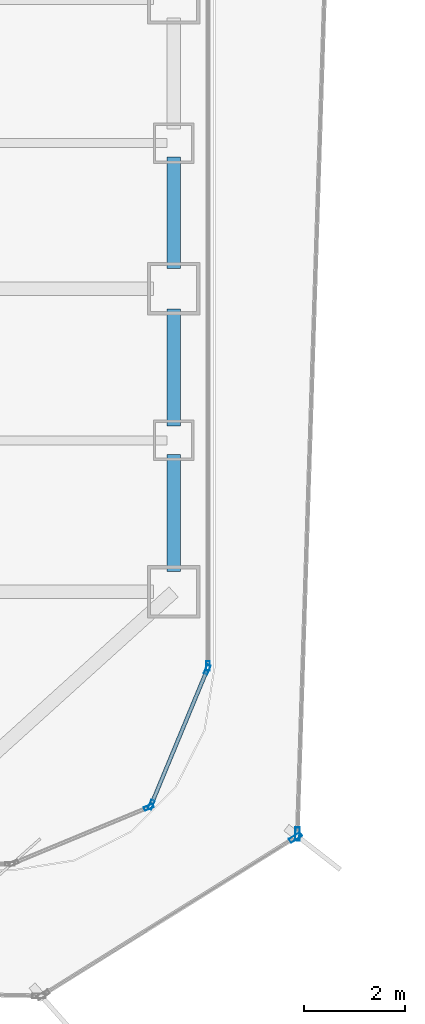
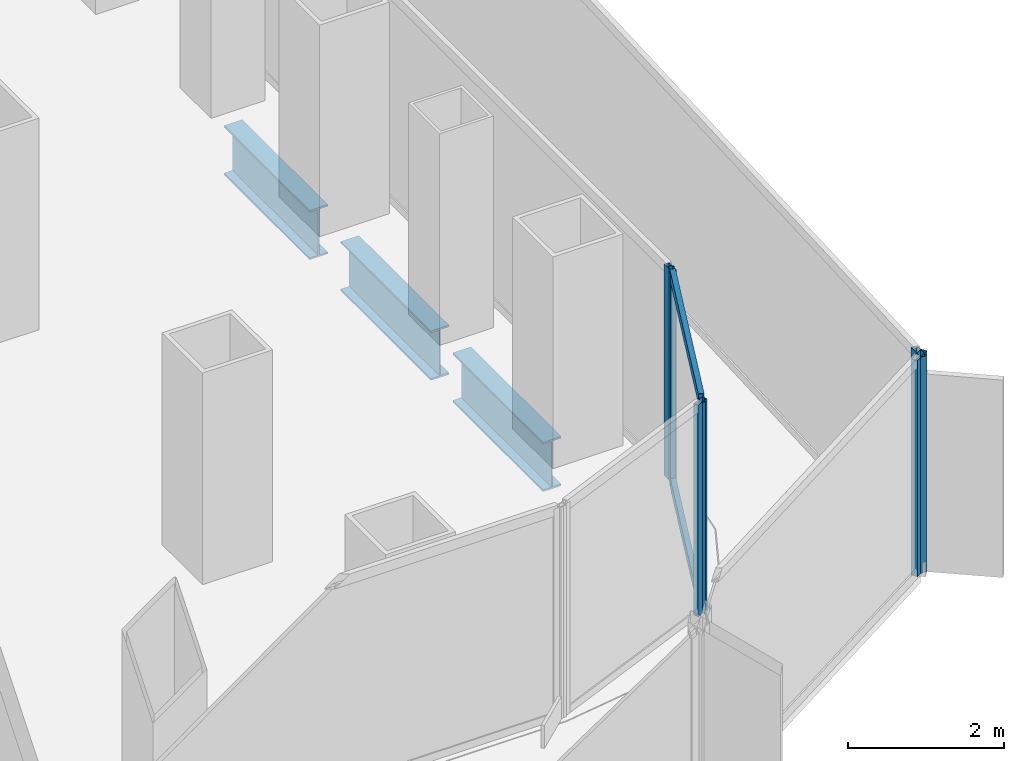
# One storey, part 8 of 21: 8 members, 3 beams, 5 elements without a shape of their own.
"""IFC4 building model written with IfcOpenShell, lengths in metres."""

from ifc_helpers import new_model, si_unit, direction, frame, origin, origin_2d, place, context, subcontext, project, spatial, hollow_rectangle, i_section, extrude, source, transform, mapped, material, layer, layer_set, material_profile, profile_set, type_object, element, aggregate, save


model = new_model("IFC4")

# Units and contexts
model_context = context("Model", 3, precision=1e-05, world=origin(), true_north=direction((0.0, 1.0)))
body_context = subcontext(model_context, "Body", "Model", "MODEL_VIEW")
ifc_project = project(units=[si_unit("LENGTHUNIT", "METRE"), si_unit("AREAUNIT", "SQUARE_METRE"), si_unit("VOLUMEUNIT", "CUBIC_METRE"), si_unit("PLANEANGLEUNIT", "RADIAN"), si_unit("MASSUNIT", "GRAM", prefix="KILO")], contexts=[model_context])

# Site, building, storey
site_placement = place(None, origin())
site = spatial("IfcSite", under=ifc_project, at=site_placement, CompositionType="ELEMENT")
building_placement = place(site_placement, origin())
building = spatial("IfcBuilding", under=site, at=building_placement, Name="Kolveth Station Tower", CompositionType="ELEMENT")
storey_placement = place(building_placement, frame((0.0, 0.0, 33.300048828125)))
storey = spatial("IfcBuildingStorey", under=building, at=storey_placement, Name="L08", CompositionType="ELEMENT", Elevation=33.300048828125)

# Beams
ifc_material_1 = material(Name="Steel S355", Category="steel")
ifc_material_profile_1 = material_profile(ifc_material_1, i_section(OverallWidth=0.26904296875, OverallDepth=0.77490234375, WebThickness=0.01708984375, FlangeThickness=0.0283203125, at=origin_2d()), Name="W760x220")
ifc_profile_set_1 = profile_set([ifc_material_profile_1], Name="Steel S355")
beam_type = type_object("IfcBeamType", Name="Beam_SP1", PredefinedType="SPANDREL", material=ifc_profile_set_1)
shared_shape_1 = source(origin(), body_context, "Body", "SweptSolid", [
    extrude(i_section(OverallWidth=0.26904296875, OverallDepth=0.77490234375, WebThickness=0.01708984375, FlangeThickness=0.0283203125, at=origin_2d()), origin(), (0.0, 0.0, 1.0), 2.320068359375),
])
for number, where, z_axis, x_axis, name in (
    (1, (46.199951171875, 5.89990234375, -0.66748046875), (0.0, 1.0, 0.0), (-1.0, 0.0, 0.0), "L08 Perimeter Spandrel BM-L08-PE-1"),
    (2, (46.199951171875, 8.780029296875, -0.66748046875), (0.0, 1.0, 0.0), (-1.0, 0.0, 0.0), "L08 Perimeter Spandrel BM-L08-PE-2"),
):
    element("IfcBeam", number, at=place(storey_placement, frame(where, z_axis=z_axis, x_axis=x_axis)), inside=storey, type_object=beam_type, Name=name, PredefinedType="SPANDREL", context=body_context, shape_type="MappedRepresentation", body=[
        mapped(shared_shape_1, transform((0.0, 0.0, 0.0), x_axis=(1.0, 0.0, 0.0), y_axis=(0.0, 1.0, 0.0), z_axis=(0.0, 0.0, 1.0), scale=1.0)),
    ])
shared_shape_2 = source(origin(), body_context, "Body", "SweptSolid", [
    extrude(i_section(OverallWidth=0.26904296875, OverallDepth=0.77490234375, WebThickness=0.01708984375, FlangeThickness=0.0283203125, at=origin_2d()), origin(), (0.0, 0.0, 1.0), 2.2001953125),
])
beam_placement = place(storey_placement, frame((46.199951171875, 11.89990234375, -0.66748046875), z_axis=(0.0, 1.0, 0.0), x_axis=(-1.0, 0.0, 0.0)))
element("IfcBeam", 3, at=beam_placement, inside=storey, type_object=beam_type, Name="L08 Perimeter Spandrel BM-L08-PE-3", PredefinedType="SPANDREL", context=body_context, shape_type="MappedRepresentation", body=[
    mapped(shared_shape_2, transform((0.0, 0.0, 0.0), x_axis=(1.0, 0.0, 0.0), y_axis=(0.0, 1.0, 0.0), z_axis=(0.0, 0.0, 1.0), scale=1.0)),
])

# Curtain wall, member
ifc_material_2 = material(Name="Aluminium 6063-T6 and low-E dark glass", Category="aluminium")
ifc_layer_1 = layer(ifc_material_2, 0.179931640625)
ifc_layer_set_1 = layer_set([ifc_layer_1], Name="Aluminium 6063-T6 and low-E dark glass")
curtain_wall_type_1 = type_object("IfcCurtainWallType", Name="CurtainWall_CW-Z1", PredefinedType="NOTDEFINED", material=ifc_layer_set_1)
curtain_wall_1_placement = place(storey_placement, origin())
curtain_wall_1 = element("IfcCurtainWall", 4, at=curtain_wall_1_placement, inside=storey, type_object=curtain_wall_type_1, Name="L08 Inner Thermal Curtain Wall 1", PredefinedType="NOTDEFINED")
ifc_material_3 = material(Name="Black anodized aluminium 6063-T6", Category="aluminium")
ifc_material_profile_2 = material_profile(ifc_material_3, hollow_rectangle(XDim=0.074951171875, YDim=0.18994140625, WallThickness=0.0048828125, at=origin_2d()), Name="ALU-75x190x5")
ifc_profile_set_2 = profile_set([ifc_material_profile_2], Name="Black anodized aluminium 6063-T6")
member_type_1 = type_object("IfcMemberType", Name="Mullion_ML1", PredefinedType="MULLION", material=ifc_profile_set_2)
shared_shape_3 = source(origin(), body_context, "Body", "SweptSolid", [
    extrude(hollow_rectangle(XDim=0.074951171875, YDim=0.18994140625, WallThickness=0.0048828125, at=origin_2d()), origin(), (0.0, 0.0, 1.0), 3.320068359375),
])
member_1_placement = place(storey_placement, frame((45.708984375, 1.241943359375, 0.0), z_axis=(0.0, 0.0, 1.0), x_axis=(-0.382672990201, 0.923883857728, 0.0)))
member_1 = element("IfcMember", 5, at=member_1_placement, type_object=member_type_1, Name="CW-Z1 mullion 2", PredefinedType="MULLION", context=body_context, shape_type="MappedRepresentation", body=[
    mapped(shared_shape_3, transform((0.0, 0.0, 0.0), x_axis=(1.0, 0.0, 0.0), y_axis=(0.0, 1.0, 0.0), z_axis=(0.0, 0.0, 1.0), scale=1.0)),
])
aggregate(curtain_wall_1, [member_1])

# Curtain wall, members
curtain_wall_2_placement = place(storey_placement, origin())
curtain_wall_2 = element("IfcCurtainWall", 6, at=curtain_wall_2_placement, inside=storey, type_object=curtain_wall_type_1, Name="L08 Inner Thermal Curtain Wall 2", PredefinedType="NOTDEFINED")
member_2_placement = place(storey_placement, frame((45.758056640625, 1.291015625, 0.0), z_axis=(0.0, 0.0, 1.0), x_axis=(-0.923883857728, 0.382672990201, 0.0)))
member_2 = element("IfcMember", 7, at=member_2_placement, type_object=member_type_1, Name="CW-Z1 mullion 1", PredefinedType="MULLION", context=body_context, shape_type="MappedRepresentation", body=[
    mapped(shared_shape_3, transform((0.0, 0.0, 0.0), x_axis=(1.0, 0.0, 0.0), y_axis=(0.0, 1.0, 0.0), z_axis=(0.0, 0.0, 1.0), scale=1.0)),
])
member_3_placement = place(storey_placement, frame((46.86572265625, 3.96533203125, 0.0), z_axis=(0.0, 0.0, 1.0), x_axis=(-0.923883857728, 0.382672990201, 0.0)))
member_3 = element("IfcMember", 8, at=member_3_placement, type_object=member_type_1, Name="CW-Z1 mullion 2", PredefinedType="MULLION", context=body_context, shape_type="MappedRepresentation", body=[
    mapped(shared_shape_3, transform((0.0, 0.0, 0.0), x_axis=(1.0, 0.0, 0.0), y_axis=(0.0, 1.0, 0.0), z_axis=(0.0, 0.0, 1.0), scale=1.0)),
])

# Curtain wall, member
curtain_wall_3_placement = place(storey_placement, origin())
curtain_wall_3 = element("IfcCurtainWall", 9, at=curtain_wall_3_placement, inside=storey, type_object=curtain_wall_type_1, Name="L08 Inner Thermal Curtain Wall 3", PredefinedType="NOTDEFINED")
member_4_placement = place(storey_placement, frame((46.8798828125, 4.03759765625, 0.0), z_axis=(0.0, 0.0, 1.0), x_axis=(-1.0, 0.0, 0.0)))
member_4 = element("IfcMember", 10, at=member_4_placement, type_object=member_type_1, Name="CW-Z1 mullion 1", PredefinedType="MULLION", context=body_context, shape_type="MappedRepresentation", body=[
    mapped(shared_shape_3, transform((0.0, 0.0, 0.0), x_axis=(1.0, 0.0, 0.0), y_axis=(0.0, 1.0, 0.0), z_axis=(0.0, 0.0, 1.0), scale=1.0)),
])
aggregate(curtain_wall_3, [member_4])

# Member
ifc_material_profile_3 = material_profile(ifc_material_3, hollow_rectangle(XDim=0.074951171875, YDim=0.159912109375, WallThickness=0.0048828125, at=origin_2d()), Name="ALU-75x160x5")
ifc_profile_set_3 = profile_set([ifc_material_profile_3], Name="Black anodized aluminium 6063-T6")
member_type_2 = type_object("IfcMemberType", Name="Transom_TR1", PredefinedType="USERDEFINED", material=ifc_profile_set_3)
shared_shape_4 = source(origin(), body_context, "Body", "SweptSolid", [
    extrude(hollow_rectangle(XDim=0.074951171875, YDim=0.159912109375, WallThickness=0.0048828125, at=origin_2d()), origin(), (0.0, 0.0, 1.0), 2.819580078125),
])
member_5_placement = place(storey_placement, frame((45.772216796875, 1.32568359375, 0.037353515625), z_axis=(0.382708655389, 0.923869084389, 0.0), x_axis=(-0.923869084389, 0.382708655389, 0.0)))
member_5 = element("IfcMember", 11, at=member_5_placement, type_object=member_type_2, Name="CW-Z1 transom 1.1", ObjectType="TRANSOM", PredefinedType="USERDEFINED", context=body_context, shape_type="MappedRepresentation", body=[
    mapped(shared_shape_4, transform((0.0, 0.0, 0.0), x_axis=(1.0, 0.0, 0.0), y_axis=(0.0, 1.0, 0.0), z_axis=(0.0, 0.0, 1.0), scale=1.0)),
])

member_6_placement = place(storey_placement, frame((45.772216796875, 1.32568359375, 3.282470703125), z_axis=(0.382708655389, 0.923869084389, 0.0), x_axis=(-0.923869084389, 0.382708655389, 0.0)))
member_6 = element("IfcMember", 12, at=member_6_placement, type_object=member_type_2, Name="CW-Z1 transom 1.2", ObjectType="TRANSOM", PredefinedType="USERDEFINED", context=body_context, shape_type="MappedRepresentation", body=[
    mapped(shared_shape_4, transform((0.0, 0.0, 0.0), x_axis=(1.0, 0.0, 0.0), y_axis=(0.0, 1.0, 0.0), z_axis=(0.0, 0.0, 1.0), scale=1.0)),
])

aggregate(curtain_wall_2, [member_2, member_3, member_5, member_6])

# Curtain wall, member
ifc_material_4 = material(Name="Black anodized aluminium 6063-T6 and dark solar glass", Category="aluminium")
ifc_layer_2 = layer(ifc_material_4, 0.159912109375)
ifc_layer_set_2 = layer_set([ifc_layer_2], Name="Black anodized aluminium 6063-T6 and dark solar glass")
curtain_wall_type_2 = type_object("IfcCurtainWallType", Name="OUTER SKIN CW-OS", PredefinedType="NOTDEFINED", material=ifc_layer_set_2)
curtain_wall_4_placement = place(storey_placement, origin())
curtain_wall_4 = element("IfcCurtainWall", 13, at=curtain_wall_4_placement, inside=storey, type_object=curtain_wall_type_2, Name="L08 Outer Ventilated Skin Curtain Wall 1", PredefinedType="NOTDEFINED")
ifc_material_profile_4 = material_profile(ifc_material_3, hollow_rectangle(XDim=0.090087890625, YDim=0.260009765625, WallThickness=0.0048828125, at=origin_2d()), Name="ALU-90x260x5")
ifc_profile_set_4 = profile_set([ifc_material_profile_4], Name="Black anodized aluminium 6063-T6")
member_type_3 = type_object("IfcMemberType", Name="FIN MULLION ML-OS", PredefinedType="MULLION", material=ifc_profile_set_4)
shared_shape_5 = source(origin(), body_context, "Body", "SweptSolid", [
    extrude(hollow_rectangle(XDim=0.090087890625, YDim=0.260009765625, WallThickness=0.0048828125, at=origin_2d()), origin(), (0.0, 0.0, 1.0), 3.389892578125),
])
member_7_placement = place(storey_placement, frame((48.610595703125, 0.6435546875, 0.0), z_axis=(0.0, 0.0, 1.0), x_axis=(-0.529182856199, 0.848507810633, 0.0)))
member_7 = element("IfcMember", 14, at=member_7_placement, type_object=member_type_3, Name="CW-OS mullion 2", PredefinedType="MULLION", context=body_context, shape_type="MappedRepresentation", body=[
    mapped(shared_shape_5, transform((0.0, 0.0, 0.0), x_axis=(1.0, 0.0, 0.0), y_axis=(0.0, 1.0, 0.0), z_axis=(0.0, 0.0, 1.0), scale=1.0)),
])
aggregate(curtain_wall_4, [member_7])

curtain_wall_5_placement = place(storey_placement, origin())
curtain_wall_5 = element("IfcCurtainWall", 15, at=curtain_wall_5_placement, inside=storey, type_object=curtain_wall_type_2, Name="L08 Outer Ventilated Skin Curtain Wall 2", PredefinedType="NOTDEFINED")
member_8_placement = place(storey_placement, frame((48.650146484375, 0.712158203125, 0.0), z_axis=(0.0, 0.0, 1.0), x_axis=(-0.999476657517, 0.032348277825, 0.0)))
member_8 = element("IfcMember", 16, at=member_8_placement, type_object=member_type_3, Name="CW-OS mullion 1", PredefinedType="MULLION", context=body_context, shape_type="MappedRepresentation", body=[
    mapped(shared_shape_5, transform((0.0, 0.0, 0.0), x_axis=(1.0, 0.0, 0.0), y_axis=(0.0, 1.0, 0.0), z_axis=(0.0, 0.0, 1.0), scale=1.0)),
])
aggregate(curtain_wall_5, [member_8])

save(model, "model.ifc")
